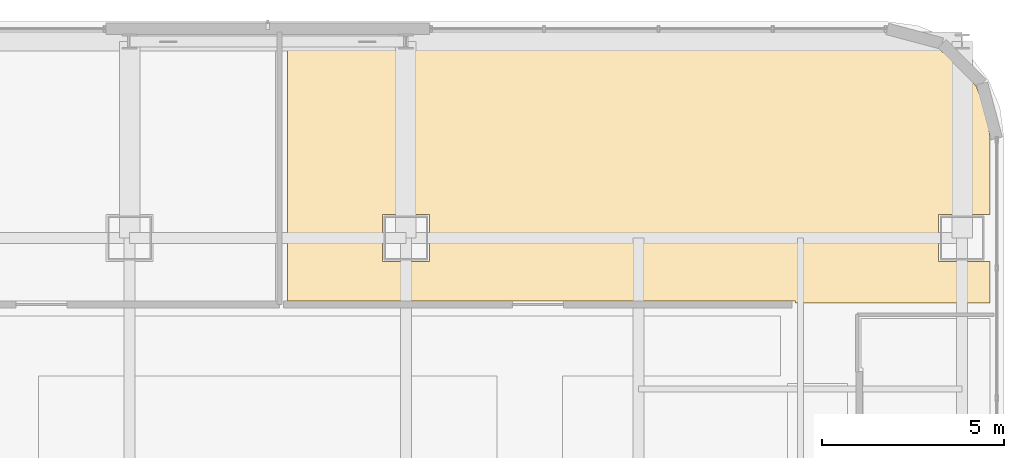
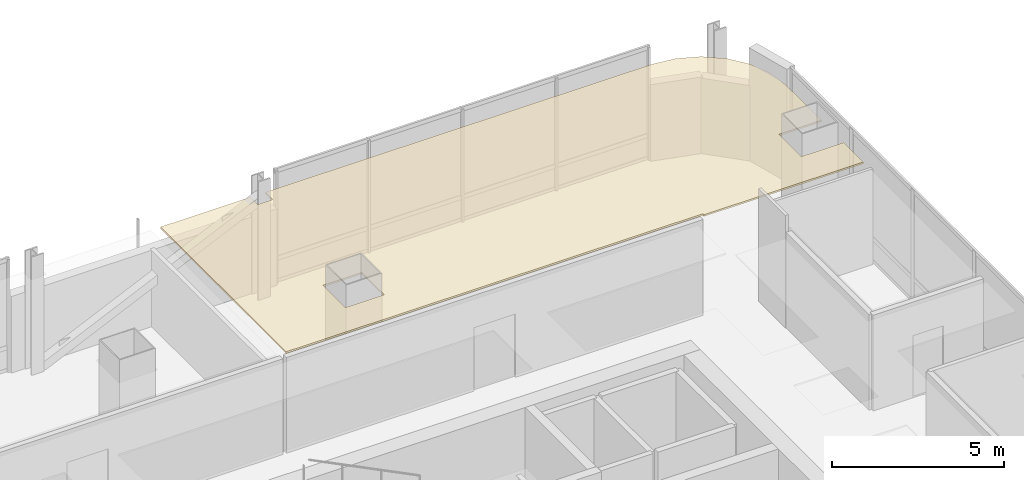
# One storey, part 43 of 43: 1 covering.
"""IFC4 building model written with IfcOpenShell, lengths in metres."""

from ifc_helpers import new_model, si_unit, direction, frame, origin, place, context, subcontext, project, spatial, polyline, outline, extrude, material, layer, layer_set, type_object, element, save


model = new_model("IFC4")

# Units and contexts
model_context = context("Model", 3, precision=1e-05, world=origin(), true_north=direction((0.0, 1.0)))
body_context = subcontext(model_context, "Body", "Model", "MODEL_VIEW")
ifc_project = project(units=[si_unit("LENGTHUNIT", "METRE"), si_unit("AREAUNIT", "SQUARE_METRE"), si_unit("VOLUMEUNIT", "CUBIC_METRE"), si_unit("PLANEANGLEUNIT", "RADIAN"), si_unit("MASSUNIT", "GRAM", prefix="KILO")], contexts=[model_context])

# Site, building, storey
site_placement = place(None, origin())
site = spatial("IfcSite", under=ifc_project, at=site_placement, CompositionType="ELEMENT")
building_placement = place(site_placement, origin())
building = spatial("IfcBuilding", under=site, at=building_placement, Name="Punatoya Terracotta Tower", CompositionType="ELEMENT")
storey_placement = place(building_placement, frame((0.0, 0.0, 300.60009765625)))
storey = spatial("IfcBuildingStorey", under=building, at=storey_placement, Name="L71", CompositionType="ELEMENT", Elevation=300.60009765625)

# Covering
ifc_material = material(Name="Acoustic Mineral Fibre Ceiling")
ifc_layer = layer(ifc_material, 0.06005859375)
ifc_layer_set = layer_set([ifc_layer], Name="Acoustic Mineral Fibre Ceiling")
covering_type = type_object("IfcCoveringType", Name="COV-CEIL-60", PredefinedType="CEILING", material=ifc_layer_set)
covering_placement = place(storey_placement, frame((0.0, 0.0, 3.389892578125)))
element("IfcCovering", 1, at=covering_placement, inside=storey, type_object=covering_type, Name="L71 Open-Plan Roundtable Conference Room Acoustic Ceiling", PredefinedType="CEILING", context=body_context, shape_type="SweptSolid", body=[
    extrude(outline(polyline([(14.52001953125, 15.7099609375), (19.8701171875, 15.7099609375), (19.8701171875, 16.85009765625), (18.449951171875, 16.85009765625), (18.449951171875, 18.14990234375), (19.8701171875, 18.14990234375), (19.8701171875, 20.22509765625), (19.770751953125, 20.97900390625), (19.489501953125, 21.658203125), (19.041748046875, 22.24169921875), (18.458251953125, 22.689453125), (17.779052734375, 22.970703125), (17.025146484375, 23.070068359375), (4.052978515625, 23.070068359375), (4.052978515625, 22.64208984375), (3.547119140625, 22.64208984375), (3.547119140625, 23.070068359375), (0.5380859375, 23.070068359375), (0.5380859375, 15.77001953125), (14.52001953125, 15.77001953125), (14.52001953125, 15.7099609375)]), holes=[polyline([(4.449951171875, 16.85009765625), (3.14990234375, 16.85009765625), (3.14990234375, 18.14990234375), (4.449951171875, 18.14990234375), (4.449951171875, 16.85009765625)])]), origin(), (0.0, 0.0, 1.0), 0.06005859375),
])

save(model, "model.ifc")
